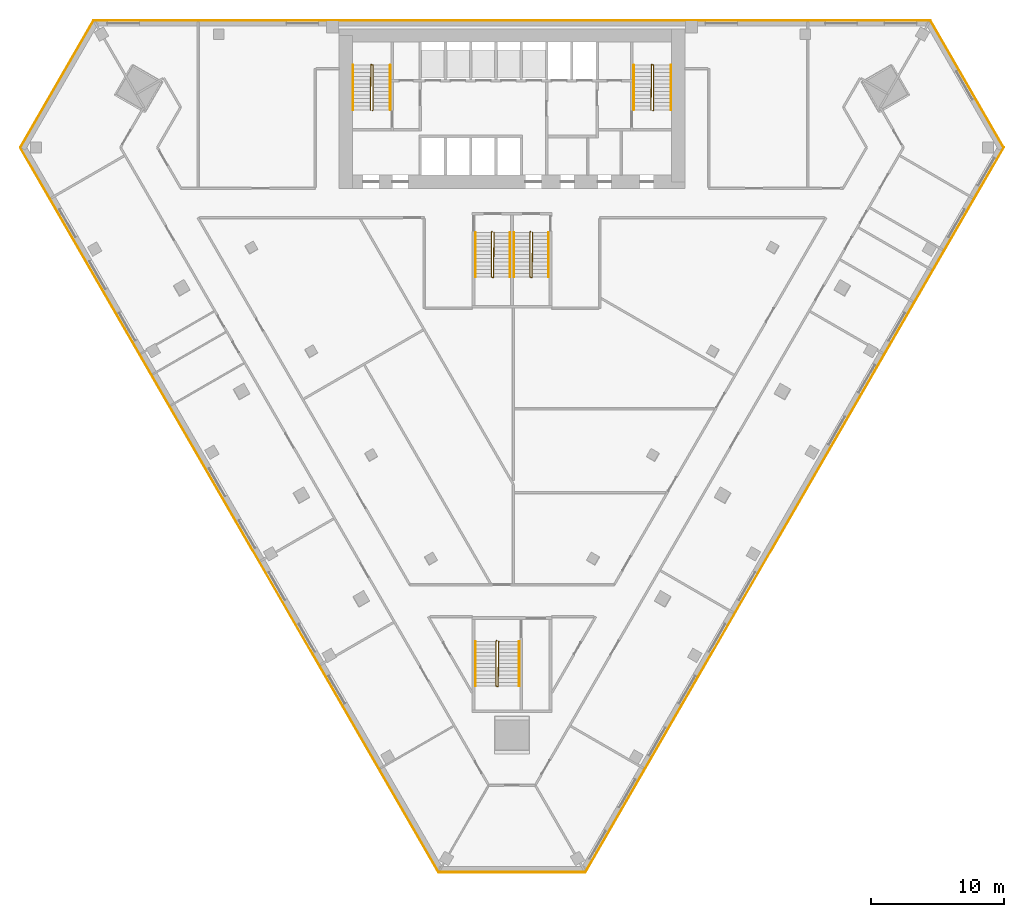
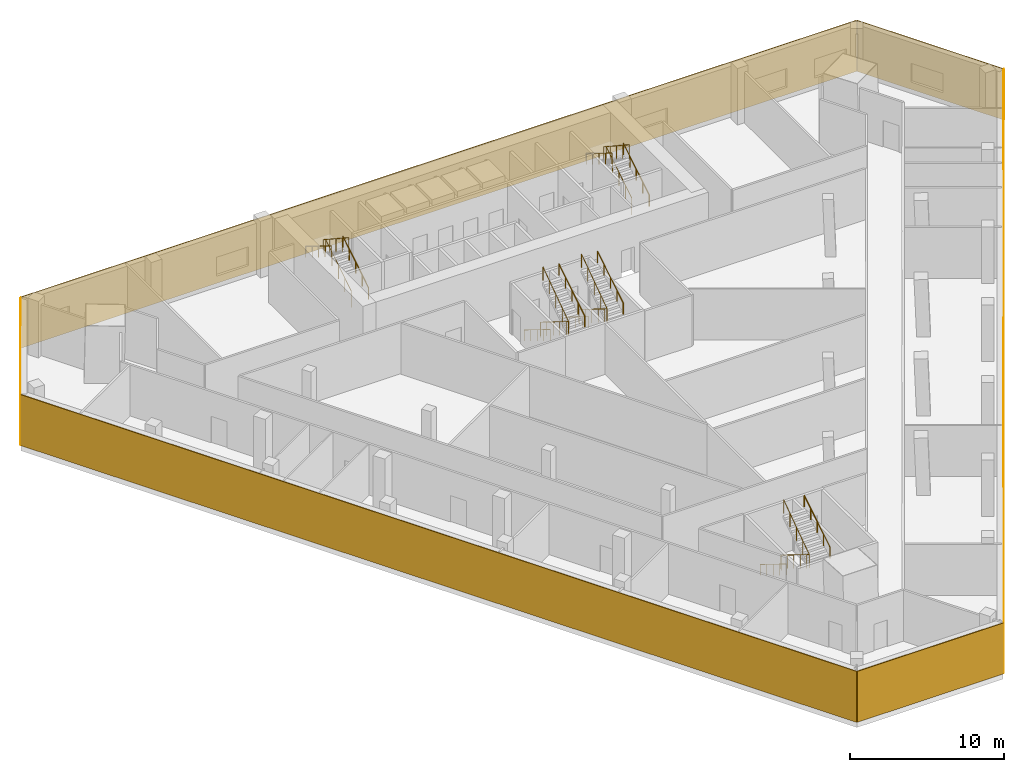
# One storey, part 8 of 9: 15 railings, 6 coverings.
"""IFC4 building model written with IfcOpenShell, lengths in metres."""

import ifcopenshell
import ifcopenshell.guid

model = None  # the IFC model being written
_history = None  # IfcOwnerHistory: only IFC2X3 demands one
_inside = {}  # id of a spatial element -> (the spatial element, [elements in it])
_under = {}  # id of a project, library or spatial element -> (it, [spatial elements below it])
_declared = {}  # id of a project -> (the project, [libraries it declares])
_typed = {}  # id of a type object -> (the type object, [elements of that type])
_made_of = {}  # id of a material, layer set ... -> (it, [elements and type objects made of it])


def new_model(schema):
    """Start an empty IFC model of exactly this schema.

    Asked for "IFC4X3", IfcOpenShell would pick the latest addendum, in which some entities
    have other attributes; the version numbers below select the first issue.
    IFC2X3 requires an IfcOwnerHistory on every rooted entity: one is made here for all.
    """
    global model, _history
    if schema == "IFC4X3":
        model = ifcopenshell.file(schema_version=(4, 3, 0, 0))
    else:
        model = ifcopenshell.file(schema=schema)
    _inside.clear()
    _under.clear()
    _declared.clear()
    _typed.clear()
    _made_of.clear()
    _history = None
    if model.schema == "IFC2X3":
        org = make("IfcOrganization", Name="unknown")
        user = make(
            "IfcPersonAndOrganization",
            ThePerson=make("IfcPerson", FamilyName="unknown"),
            TheOrganization=org,
        )
        app = make(
            "IfcApplication",
            ApplicationDeveloper=org,
            Version="unknown",
            ApplicationFullName="unknown",
            ApplicationIdentifier="unknown",
        )
        _history = make(
            "IfcOwnerHistory",
            OwningUser=user,
            OwningApplication=app,
            ChangeAction="ADDED",
            CreationDate=0,
        )
    return model


def make(cls, **values):
    """One entity of the class cls with the attributes given. An attribute that is None is left unset."""
    return model.create_entity(
        cls, **{name: value for name, value in values.items() if value is not None}
    )


def rooted(cls, **values):
    """An entity with a GlobalId (a new one), such as an element, a storey or a relation."""
    return make(cls, GlobalId=ifcopenshell.guid.new(), OwnerHistory=_history, **values)


def si_unit(unit_type, name, prefix=None):
    """IfcSIUnit, for example si_unit("LENGTHUNIT", "METRE", prefix="MILLI")."""
    return make("IfcSIUnit", UnitType=unit_type, Prefix=prefix, Name=name)


def assignment(units):
    """IfcUnitAssignment: the units of a project."""
    return None if units is None else make("IfcUnitAssignment", Units=units)


def point(xyz):
    """IfcCartesianPoint."""
    return None if xyz is None else make("IfcCartesianPoint", Coordinates=xyz)


def direction(xyz):
    """IfcDirection."""
    return None if xyz is None else make("IfcDirection", DirectionRatios=xyz)


def frame(location, z_axis=None, x_axis=None):
    """IfcAxis2Placement3D, a coordinate frame: its origin and axes. An axis left out is left unset."""
    return make(
        "IfcAxis2Placement3D",
        Location=point(location),
        Axis=direction(z_axis),
        RefDirection=direction(x_axis),
    )


def frame_2d(location, x_axis=None):
    """IfcAxis2Placement2D, a coordinate frame in the plane: its origin and x axis."""
    return make(
        "IfcAxis2Placement2D", Location=point(location), RefDirection=direction(x_axis)
    )


def origin():
    """The frame at (0, 0, 0) with its axes left unset."""
    return frame((0.0, 0.0, 0.0))


def origin_2d():
    """The frame at (0, 0) in the plane with its x axis left unset."""
    return frame_2d((0.0, 0.0))


def place(relative_to, where):
    """IfcLocalPlacement: puts the frame where relative to a parent placement (None: the world)."""
    return make(
        "IfcLocalPlacement", PlacementRelTo=relative_to, RelativePlacement=where
    )


def context(
    kind, dimensions, precision=None, world=None, true_north=None, identifier=None
):
    """IfcGeometricRepresentationContext, for example the 3D "Model" context."""
    return make(
        "IfcGeometricRepresentationContext",
        ContextIdentifier=identifier,
        ContextType=kind,
        CoordinateSpaceDimension=dimensions,
        Precision=precision,
        WorldCoordinateSystem=world,
        TrueNorth=true_north,
    )


def subcontext(parent, identifier, kind, view, scale=None):
    """IfcGeometricRepresentationSubContext, for example "Body" below "Model"."""
    return make(
        "IfcGeometricRepresentationSubContext",
        ContextIdentifier=identifier,
        ContextType=kind,
        ParentContext=parent,
        TargetScale=scale,
        TargetView=view,
    )


def project(units=None, contexts=None):
    """IfcProject with its units and contexts."""
    return rooted(
        "IfcProject",
        Name="project",
        RepresentationContexts=contexts,
        UnitsInContext=assignment(units),
    )


def spatial(cls, under=None, at=None, **own):
    """A site, building, storey or space (cls), placed at a placement, below another one or the project."""
    s = rooted(cls, ObjectPlacement=at, **own)
    if under is not None:
        _under.setdefault(under.id(), (under, []))[1].append(s)
    return s


def profile(cls, at=None, kind="AREA", **sizes):
    """A parametric profile (cls). Its sizes go by their IFC names, for example OverallWidth=200.0."""
    return make(cls, ProfileType=kind, Position=at, **sizes)


def rectangle(**sizes):
    """IfcRectangleProfileDef."""
    return profile("IfcRectangleProfileDef", **sizes)


def circle(**sizes):
    """IfcCircleProfileDef."""
    return profile("IfcCircleProfileDef", **sizes)


def extrude(swept, where, along, depth):
    """IfcExtrudedAreaSolid: the profile swept, set in the frame where, extruded along a direction by depth."""
    return make(
        "IfcExtrudedAreaSolid",
        SweptArea=swept,
        Position=where,
        ExtrudedDirection=direction(along),
        Depth=depth,
    )


def shape(context_of_items, identifier, shape_type, items):
    """IfcShapeRepresentation: the items that make up one representation, for example the "Body"."""
    return make(
        "IfcShapeRepresentation",
        ContextOfItems=context_of_items,
        RepresentationIdentifier=identifier,
        RepresentationType=shape_type,
        Items=items,
    )


def material(Name=None, Category=None):
    """IfcMaterial."""
    return make("IfcMaterial", Name=Name, Category=Category)


def layer(
    of_material, thickness, ventilated=None, Name=None, Category=None, Priority=None
):
    """IfcMaterialLayer: one layer of a wall or slab, of a material (None: an air gap)."""
    return make(
        "IfcMaterialLayer",
        Material=of_material,
        LayerThickness=thickness,
        IsVentilated=ventilated,
        Name=Name,
        Category=Category,
        Priority=Priority,
    )


def layer_set(layers, Name=None):
    """IfcMaterialLayerSet."""
    return make("IfcMaterialLayerSet", MaterialLayers=layers, LayerSetName=Name)


def made_of(thing, what):
    """Note that an element or type object is made of a material, layer set ...; save() writes the relation."""
    if what is not None:
        _made_of.setdefault(what.id(), (what, []))[1].append(thing)
    return thing


def type_object(cls, material=None, **own):
    """A type object (cls), such as IfcWallType, which elements share."""
    return made_of(rooted(cls, **own), material)


def element(
    cls,
    number,
    at=None,
    inside=None,
    cuts=None,
    type_object=None,
    material=None,
    context=None,
    identifier="Body",
    shape_type=None,
    held_by="IfcProductDefinitionShape",
    body=None,
    shapes=None,
    **own,
):
    """One element of the class cls, such as IfcWall. Its Tag is "e" and its number.

    at: its placement. inside: the storey or other place that contains it. cuts: it is an
    opening in that element (IfcRelVoidsElement). A single representation is given by context,
    identifier, shape_type and body (its items); several are given by shapes. held_by: the class
    of the entity that holds the representations. save() writes the other relations.
    """
    e = rooted(cls, Tag="e%d" % number, ObjectPlacement=at, **own)
    if body is not None:
        shapes = [shape(context, identifier, shape_type, body)]
    if shapes is not None:
        e.Representation = make(held_by, Representations=shapes)
    if inside is not None:
        _inside.setdefault(inside.id(), (inside, []))[1].append(e)
    if cuts is not None:
        rooted(
            "IfcRelVoidsElement", RelatingBuildingElement=cuts, RelatedOpeningElement=e
        )
    if type_object is not None:
        _typed.setdefault(type_object.id(), (type_object, []))[1].append(e)
    return made_of(e, material)


def aggregate(whole, parts):
    """IfcRelAggregates: a whole, such as a stair, and the parts it consists of."""
    return rooted("IfcRelAggregates", RelatingObject=whole, RelatedObjects=parts)


def save(model, path):
    """Write the relations noted so far, then the file.

    IfcRelAggregates (storeys below a building ...), IfcRelContainedInSpatialStructure (elements
    in a storey), IfcRelDefinesByType, IfcRelAssociatesMaterial and IfcRelDeclares: one each for
    every whole, place, type object, material and project.
    """
    for whole, parts in _under.values():
        aggregate(whole, parts)
    for where, things in _inside.values():
        rooted(
            "IfcRelContainedInSpatialStructure",
            RelatedElements=things,
            RelatingStructure=where,
        )
    for kind, things in _typed.values():
        rooted("IfcRelDefinesByType", RelatedObjects=things, RelatingType=kind)
    for what, things in _made_of.values():
        rooted("IfcRelAssociatesMaterial", RelatedObjects=things, RelatingMaterial=what)
    for by, libraries in _declared.values():
        rooted("IfcRelDeclares", RelatingContext=by, RelatedDefinitions=libraries)
    model.write(path)


model = new_model("IFC4")

# Units and contexts
model_context = context("Model", 3, precision=1e-05, world=origin(), true_north=direction((0.0, 1.0)))
body_context = subcontext(model_context, "Body", "Model", "MODEL_VIEW")
ifc_project = project(units=[si_unit("LENGTHUNIT", "METRE"), si_unit("AREAUNIT", "SQUARE_METRE"), si_unit("VOLUMEUNIT", "CUBIC_METRE"), si_unit("PLANEANGLEUNIT", "RADIAN"), si_unit("MASSUNIT", "GRAM", prefix="KILO")], contexts=[model_context])

# Site, building, storey
site_placement = place(None, origin())
site = spatial("IfcSite", under=ifc_project, at=site_placement, CompositionType="ELEMENT")
building_placement = place(site_placement, origin())
building = spatial("IfcBuilding", under=site, at=building_placement, Name="Altiplano Prism Tower", CompositionType="ELEMENT")
storey_placement = place(building_placement, frame((0.0, 0.0, 13.5)))
storey = spatial("IfcBuildingStorey", under=building, at=storey_placement, Name="L02", CompositionType="ELEMENT", Elevation=13.5)

# Railings
ifc_material_1 = material(Name="Steel S355", Category="steel")
railing_type_1 = type_object("IfcRailingType", Name="Stair guard 1100", PredefinedType="GUARDRAIL", material=ifc_material_1)
railing_1_placement = place(storey_placement, frame((74.5, 98.25, 0.0)))
element("IfcRailing", 1, at=railing_1_placement, inside=storey, type_object=railing_type_1, Name="L02 ST1 stair guard 1", PredefinedType="GUARDRAIL", context=body_context, shape_type="SweptSolid", body=[
    extrude(circle(Radius=0.02392578125, at=origin_2d()), frame((0.0, 0.0, 1.076171875), z_axis=(0.267629722418, 0.267629722418, 0.925607186314), x_axis=(-0.707106781187, 0.707106781187, 0.0)), (0.0, 0.0, 1.0), 0.18701171875),
    extrude(circle(Radius=0.02392578125, at=origin_2d()), frame((0.050048828125, 0.050048828125, 1.2490234375), z_axis=(0.0, 0.850606129759, 0.525803396734), x_axis=(-1.0, 0.0, 0.0)), (0.0, 0.0, 1.0), 3.949951171875),
    extrude(circle(Radius=0.02392578125, at=origin_2d()), frame((0.050048828125, 3.409912109375, 3.326171875), z_axis=(-0.948683298051, 0.316227766017, 0.0), x_axis=(-0.316227766017, -0.948683298051, 0.0)), (0.0, 0.0, 1.0), 0.158203125),
    extrude(circle(Radius=0.02392578125, at=origin_2d()), frame((-0.10009765625, 3.4599609375, 3.326171875), z_axis=(-0.0121901703, -0.834608375372, 0.55070887001), x_axis=(0.999893351539, -0.01460429897, 0.0)), (0.0, 0.0, 1.0), 4.085693359375),
    extrude(circle(Radius=0.02099609375, at=origin_2d()), origin(), (0.0, 0.0, 1.0), 1.052001953125),
    extrude(circle(Radius=0.02099609375, at=origin_2d()), frame((0.050048828125, 0.050048828125, 0.173095703125)), (0.0, 0.0, 1.0), 1.052001953125),
    extrude(circle(Radius=0.02099609375, at=origin_2d()), frame((0.050048828125, 0.89013671875, 0.6923828125)), (0.0, 0.0, 1.0), 1.052001953125),
    extrude(circle(Radius=0.02099609375, at=origin_2d()), frame((0.050048828125, 1.72998046875, 1.21142578125)), (0.0, 0.0, 1.0), 1.052001953125),
    extrude(circle(Radius=0.02099609375, at=origin_2d()), frame((0.050048828125, 2.56982421875, 1.730712890625)), (0.0, 0.0, 1.0), 1.052001953125),
    extrude(circle(Radius=0.02099609375, at=origin_2d()), frame((0.050048828125, 3.409912109375, 2.25)), (0.0, 0.0, 1.0), 1.052001953125),
    extrude(circle(Radius=0.02099609375, at=origin_2d()), frame((-0.10009765625, 3.4599609375, 2.25)), (0.0, 0.0, 1.0), 1.052001953125),
    extrude(circle(Radius=0.02099609375, at=origin_2d()), frame((-0.112548828125, 2.607421875, 2.8125)), (0.0, 0.0, 1.0), 1.052001953125),
    extrude(circle(Radius=0.02099609375, at=origin_2d()), frame((-0.125, 1.7548828125, 3.375)), (0.0, 0.0, 1.0), 1.052001953125),
    extrude(circle(Radius=0.02099609375, at=origin_2d()), frame((-0.137451171875, 0.902587890625, 3.9375)), (0.0, 0.0, 1.0), 1.052001953125),
    extrude(circle(Radius=0.02099609375, at=origin_2d()), frame((-0.14990234375, 0.050048828125, 4.5)), (0.0, 0.0, 1.0), 1.052001953125),
])
railing_2_placement = place(storey_placement, frame((95.60009765625, 98.25, 0.0)))
element("IfcRailing", 2, at=railing_2_placement, inside=storey, type_object=railing_type_1, Name="L02 ST2 stair guard 1", PredefinedType="GUARDRAIL", context=body_context, shape_type="SweptSolid", body=[
    extrude(circle(Radius=0.02392578125, at=origin_2d()), frame((0.0, 0.0, 1.076171875), z_axis=(0.266417085129, 0.267723051232, 0.925929967433), x_axis=(-0.708833529934, 0.705375805398, 0.0)), (0.0, 0.0, 1.0), 0.18701171875),
    extrude(circle(Radius=0.02392578125, at=origin_2d()), frame((0.0498046875, 0.050048828125, 1.2490234375), z_axis=(0.0, 0.850606129759, 0.525803396734), x_axis=(-1.0, 0.0, 0.0)), (0.0, 0.0, 1.0), 3.949951171875),
    extrude(circle(Radius=0.02392578125, at=origin_2d()), frame((0.0498046875, 3.409912109375, 3.326171875), z_axis=(-0.948528701346, 0.316691178788, 0.0), x_axis=(-0.316691178788, -0.948528701346, 0.0)), (0.0, 0.0, 1.0), 0.157958984375),
    extrude(circle(Radius=0.02392578125, at=origin_2d()), frame((-0.10009765625, 3.4599609375, 3.326171875), z_axis=(-0.012249917091, -0.834607765926, 0.550708467873), x_axis=(0.999892303572, -0.014675873289, 0.0)), (0.0, 0.0, 1.0), 4.085693359375),
    extrude(circle(Radius=0.02099609375, at=origin_2d()), origin(), (0.0, 0.0, 1.0), 1.052001953125),
    extrude(circle(Radius=0.02099609375, at=origin_2d()), frame((0.0498046875, 0.050048828125, 0.173095703125)), (0.0, 0.0, 1.0), 1.052001953125),
    extrude(circle(Radius=0.02099609375, at=origin_2d()), frame((0.0498046875, 0.89013671875, 0.6923828125)), (0.0, 0.0, 1.0), 1.052001953125),
    extrude(circle(Radius=0.02099609375, at=origin_2d()), frame((0.0498046875, 1.72998046875, 1.21142578125)), (0.0, 0.0, 1.0), 1.052001953125),
    extrude(circle(Radius=0.02099609375, at=origin_2d()), frame((0.0498046875, 2.56982421875, 1.730712890625)), (0.0, 0.0, 1.0), 1.052001953125),
    extrude(circle(Radius=0.02099609375, at=origin_2d()), frame((0.0498046875, 3.409912109375, 2.25)), (0.0, 0.0, 1.0), 1.052001953125),
    extrude(circle(Radius=0.02099609375, at=origin_2d()), frame((-0.10009765625, 3.4599609375, 2.25)), (0.0, 0.0, 1.0), 1.052001953125),
    extrude(circle(Radius=0.02099609375, at=origin_2d()), frame((-0.112548828125, 2.607421875, 2.8125)), (0.0, 0.0, 1.0), 1.052001953125),
    extrude(circle(Radius=0.02099609375, at=origin_2d()), frame((-0.125, 1.7548828125, 3.375)), (0.0, 0.0, 1.0), 1.052001953125),
    extrude(circle(Radius=0.02099609375, at=origin_2d()), frame((-0.1376953125, 0.902587890625, 3.9375)), (0.0, 0.0, 1.0), 1.052001953125),
    extrude(circle(Radius=0.02099609375, at=origin_2d()), frame((-0.150146484375, 0.050048828125, 4.5)), (0.0, 0.0, 1.0), 1.052001953125),
])
railing_3_placement = place(storey_placement, frame((83.5, 89.14990234375, 0.0)))
element("IfcRailing", 3, at=railing_3_placement, inside=storey, type_object=railing_type_1, Name="L02 ST3A stair guard 1", PredefinedType="GUARDRAIL", context=body_context, shape_type="SweptSolid", body=[
    extrude(circle(Radius=0.02392578125, at=origin_2d()), frame((0.0, 0.0, 1.076171875), z_axis=(-0.267723051232, -0.266417085129, 0.925929967433), x_axis=(0.705375805398, -0.708833529934, 0.0)), (0.0, 0.0, 1.0), 0.18701171875),
    extrude(circle(Radius=0.02392578125, at=origin_2d()), frame((-0.050048828125, -0.0498046875, 1.2490234375), z_axis=(0.0, -0.850623216509, 0.525775754039), x_axis=(1.0, 0.0, 0.0)), (0.0, 0.0, 1.0), 3.9501953125),
    extrude(circle(Radius=0.02392578125, at=origin_2d()), frame((-0.050048828125, -3.409912109375, 3.326171875), z_axis=(0.948683298051, -0.316227766017, 0.0), x_axis=(0.316227766017, 0.948683298051, 0.0)), (0.0, 0.0, 1.0), 0.158203125),
    extrude(circle(Radius=0.02392578125, at=origin_2d()), frame((0.10009765625, -3.4599609375, 3.326171875), z_axis=(0.012189562367, 0.83462650563, 0.550681405777), x_axis=(-0.999893366806, 0.014603253639, 0.0)), (0.0, 0.0, 1.0), 4.0859375),
    extrude(circle(Radius=0.02099609375, at=origin_2d()), origin(), (0.0, 0.0, 1.0), 1.052001953125),
    extrude(circle(Radius=0.02099609375, at=origin_2d()), frame((-0.050048828125, -0.0498046875, 0.173095703125)), (0.0, 0.0, 1.0), 1.052001953125),
    extrude(circle(Radius=0.02099609375, at=origin_2d()), frame((-0.050048828125, -0.889892578125, 0.6923828125)), (0.0, 0.0, 1.0), 1.052001953125),
    extrude(circle(Radius=0.02099609375, at=origin_2d()), frame((-0.050048828125, -1.72998046875, 1.21142578125)), (0.0, 0.0, 1.0), 1.052001953125),
    extrude(circle(Radius=0.02099609375, at=origin_2d()), frame((-0.050048828125, -2.56982421875, 1.730712890625)), (0.0, 0.0, 1.0), 1.052001953125),
    extrude(circle(Radius=0.02099609375, at=origin_2d()), frame((-0.050048828125, -3.409912109375, 2.25)), (0.0, 0.0, 1.0), 1.052001953125),
    extrude(circle(Radius=0.02099609375, at=origin_2d()), frame((0.10009765625, -3.4599609375, 2.25)), (0.0, 0.0, 1.0), 1.052001953125),
    extrude(circle(Radius=0.02099609375, at=origin_2d()), frame((0.112548828125, -2.607421875, 2.8125)), (0.0, 0.0, 1.0), 1.052001953125),
    extrude(circle(Radius=0.02099609375, at=origin_2d()), frame((0.125, -1.7548828125, 3.375)), (0.0, 0.0, 1.0), 1.052001953125),
    extrude(circle(Radius=0.02099609375, at=origin_2d()), frame((0.137451171875, -0.90234375, 3.9375)), (0.0, 0.0, 1.0), 1.052001953125),
    extrude(circle(Radius=0.02099609375, at=origin_2d()), frame((0.14990234375, -0.0498046875, 4.5)), (0.0, 0.0, 1.0), 1.052001953125),
])
railing_4_placement = place(storey_placement, frame((86.39990234375, 89.14990234375, 0.0)))
element("IfcRailing", 4, at=railing_4_placement, inside=storey, type_object=railing_type_1, Name="L02 ST3B stair guard 1", PredefinedType="GUARDRAIL", context=body_context, shape_type="SweptSolid", body=[
    extrude(circle(Radius=0.02392578125, at=origin_2d()), frame((0.0, 0.0, 1.076171875), z_axis=(-0.26651005591, -0.26651005591, 0.926253086471), x_axis=(0.707106781187, -0.707106781187, 0.0)), (0.0, 0.0, 1.0), 0.186767578125),
    extrude(circle(Radius=0.02392578125, at=origin_2d()), frame((-0.0498046875, -0.0498046875, 1.2490234375), z_axis=(0.0, -0.850623216509, 0.525775754039), x_axis=(1.0, 0.0, 0.0)), (0.0, 0.0, 1.0), 3.9501953125),
    extrude(circle(Radius=0.02392578125, at=origin_2d()), frame((-0.0498046875, -3.409912109375, 3.326171875), z_axis=(0.948528701346, -0.316691178788, 0.0), x_axis=(0.316691178788, 0.948528701346, 0.0)), (0.0, 0.0, 1.0), 0.157958984375),
    extrude(circle(Radius=0.02392578125, at=origin_2d()), frame((0.10009765625, -3.4599609375, 3.326171875), z_axis=(0.01224930618, 0.834625896233, 0.5506810037), x_axis=(-0.99989231899, 0.014674822837, 0.0)), (0.0, 0.0, 1.0), 4.0859375),
    extrude(circle(Radius=0.02099609375, at=origin_2d()), origin(), (0.0, 0.0, 1.0), 1.052001953125),
    extrude(circle(Radius=0.02099609375, at=origin_2d()), frame((-0.0498046875, -0.0498046875, 0.173095703125)), (0.0, 0.0, 1.0), 1.052001953125),
    extrude(circle(Radius=0.02099609375, at=origin_2d()), frame((-0.0498046875, -0.889892578125, 0.6923828125)), (0.0, 0.0, 1.0), 1.052001953125),
    extrude(circle(Radius=0.02099609375, at=origin_2d()), frame((-0.0498046875, -1.72998046875, 1.21142578125)), (0.0, 0.0, 1.0), 1.052001953125),
    extrude(circle(Radius=0.02099609375, at=origin_2d()), frame((-0.0498046875, -2.56982421875, 1.730712890625)), (0.0, 0.0, 1.0), 1.052001953125),
    extrude(circle(Radius=0.02099609375, at=origin_2d()), frame((-0.0498046875, -3.409912109375, 2.25)), (0.0, 0.0, 1.0), 1.052001953125),
    extrude(circle(Radius=0.02099609375, at=origin_2d()), frame((0.10009765625, -3.4599609375, 2.25)), (0.0, 0.0, 1.0), 1.052001953125),
    extrude(circle(Radius=0.02099609375, at=origin_2d()), frame((0.112548828125, -2.607421875, 2.8125)), (0.0, 0.0, 1.0), 1.052001953125),
    extrude(circle(Radius=0.02099609375, at=origin_2d()), frame((0.125, -1.7548828125, 3.375)), (0.0, 0.0, 1.0), 1.052001953125),
    extrude(circle(Radius=0.02099609375, at=origin_2d()), frame((0.1376953125, -0.90234375, 3.9375)), (0.0, 0.0, 1.0), 1.052001953125),
    extrude(circle(Radius=0.02099609375, at=origin_2d()), frame((0.150146484375, -0.0498046875, 4.5)), (0.0, 0.0, 1.0), 1.052001953125),
])
railing_5_placement = place(storey_placement, frame((83.85009765625, 58.39990234375, 0.0)))
element("IfcRailing", 5, at=railing_5_placement, inside=storey, type_object=railing_type_1, Name="L02 ST4 stair guard 1", PredefinedType="GUARDRAIL", context=body_context, shape_type="SweptSolid", body=[
    extrude(circle(Radius=0.02392578125, at=origin_2d()), frame((0.0, 0.0, 1.076171875), z_axis=(-0.267723051232, -0.266417085129, 0.925929967433), x_axis=(0.705375805398, -0.708833529934, 0.0)), (0.0, 0.0, 1.0), 0.18701171875),
    extrude(circle(Radius=0.02392578125, at=origin_2d()), frame((-0.050048828125, -0.0498046875, 1.2490234375), z_axis=(0.0, -0.850623216509, 0.525775754039), x_axis=(1.0, 0.0, 0.0)), (0.0, 0.0, 1.0), 3.9501953125),
    extrude(circle(Radius=0.02392578125, at=origin_2d()), frame((-0.050048828125, -3.409912109375, 3.326171875), z_axis=(0.948528701346, -0.316691178788, 0.0), x_axis=(0.316691178788, 0.948528701346, 0.0)), (0.0, 0.0, 1.0), 0.157958984375),
    extrude(circle(Radius=0.02392578125, at=origin_2d()), frame((0.099853515625, -3.4599609375, 3.326171875), z_axis=(0.01224930618, 0.834625896233, 0.5506810037), x_axis=(-0.99989231899, 0.014674822837, 0.0)), (0.0, 0.0, 1.0), 4.0859375),
    extrude(circle(Radius=0.02099609375, at=origin_2d()), origin(), (0.0, 0.0, 1.0), 1.052001953125),
    extrude(circle(Radius=0.02099609375, at=origin_2d()), frame((-0.050048828125, -0.0498046875, 0.173095703125)), (0.0, 0.0, 1.0), 1.052001953125),
    extrude(circle(Radius=0.02099609375, at=origin_2d()), frame((-0.050048828125, -0.889892578125, 0.6923828125)), (0.0, 0.0, 1.0), 1.052001953125),
    extrude(circle(Radius=0.02099609375, at=origin_2d()), frame((-0.050048828125, -1.72998046875, 1.21142578125)), (0.0, 0.0, 1.0), 1.052001953125),
    extrude(circle(Radius=0.02099609375, at=origin_2d()), frame((-0.050048828125, -2.56982421875, 1.730712890625)), (0.0, 0.0, 1.0), 1.052001953125),
    extrude(circle(Radius=0.02099609375, at=origin_2d()), frame((-0.050048828125, -3.409912109375, 2.25)), (0.0, 0.0, 1.0), 1.052001953125),
    extrude(circle(Radius=0.02099609375, at=origin_2d()), frame((0.099853515625, -3.4599609375, 2.25)), (0.0, 0.0, 1.0), 1.052001953125),
    extrude(circle(Radius=0.02099609375, at=origin_2d()), frame((0.1123046875, -2.607421875, 2.8125)), (0.0, 0.0, 1.0), 1.052001953125),
    extrude(circle(Radius=0.02099609375, at=origin_2d()), frame((0.125, -1.7548828125, 3.375)), (0.0, 0.0, 1.0), 1.052001953125),
    extrude(circle(Radius=0.02099609375, at=origin_2d()), frame((0.137451171875, -0.90234375, 3.9375)), (0.0, 0.0, 1.0), 1.052001953125),
    extrude(circle(Radius=0.02099609375, at=origin_2d()), frame((0.14990234375, -0.0498046875, 4.5)), (0.0, 0.0, 1.0), 1.052001953125),
])
railing_type_2 = type_object("IfcRailingType", Name="Stair handrail 900", PredefinedType="HANDRAIL", material=ifc_material_1)
railing_6_placement = place(storey_placement, frame((75.85009765625, 98.300048828125, 0.173095703125)))
element("IfcRailing", 6, at=railing_6_placement, inside=storey, type_object=railing_type_2, Name="L02 ST1 stair handrail 1", PredefinedType="HANDRAIL", context=body_context, shape_type="SweptSolid", body=[
    extrude(circle(Radius=0.02392578125, at=origin_2d()), frame((0.0, 0.0, 0.8759765625), z_axis=(0.0, 0.850606129759, 0.525803396734), x_axis=(-1.0, 0.0, 0.0)), (0.0, 0.0, 1.0), 3.949951171875),
    extrude(circle(Radius=0.02099609375, at=origin_2d()), origin(), (0.0, 0.0, 1.0), 0.851806640625),
    extrude(circle(Radius=0.02099609375, at=origin_2d()), frame((0.0, 0.83984375, 0.519287109375)), (0.0, 0.0, 1.0), 0.851806640625),
    extrude(circle(Radius=0.02099609375, at=origin_2d()), frame((0.0, 1.679931640625, 1.03857421875)), (0.0, 0.0, 1.0), 0.851806640625),
    extrude(circle(Radius=0.02099609375, at=origin_2d()), frame((0.0, 2.52001953125, 1.5576171875)), (0.0, 0.0, 1.0), 0.851806640625),
    extrude(circle(Radius=0.02099609375, at=origin_2d()), frame((0.0, 3.35986328125, 2.076904296875)), (0.0, 0.0, 1.0), 0.851806640625),
])
railing_7_placement = place(storey_placement, frame((73.050048828125, 101.659912109375, 2.423095703125)))
element("IfcRailing", 7, at=railing_7_placement, inside=storey, type_object=railing_type_2, Name="L02 ST1 stair handrail 2", PredefinedType="HANDRAIL", context=body_context, shape_type="SweptSolid", body=[
    extrude(circle(Radius=0.02392578125, at=origin_2d()), frame((0.0, 0.0, 0.8759765625), z_axis=(0.0, -0.850606129759, 0.525803396734), x_axis=(1.0, 0.0, 0.0)), (0.0, 0.0, 1.0), 3.949951171875),
    extrude(circle(Radius=0.02099609375, at=origin_2d()), origin(), (0.0, 0.0, 1.0), 0.851806640625),
    extrude(circle(Radius=0.02099609375, at=origin_2d()), frame((0.0, -0.83984375, 0.519287109375)), (0.0, 0.0, 1.0), 0.851806640625),
    extrude(circle(Radius=0.02099609375, at=origin_2d()), frame((0.0, -1.679931640625, 1.03857421875)), (0.0, 0.0, 1.0), 0.851806640625),
    extrude(circle(Radius=0.02099609375, at=origin_2d()), frame((0.0, -2.52001953125, 1.5576171875)), (0.0, 0.0, 1.0), 0.851806640625),
    extrude(circle(Radius=0.02099609375, at=origin_2d()), frame((0.0, -3.35986328125, 2.076904296875)), (0.0, 0.0, 1.0), 0.851806640625),
])
railing_8_placement = place(storey_placement, frame((96.949951171875, 98.300048828125, 0.173095703125)))
element("IfcRailing", 8, at=railing_8_placement, inside=storey, type_object=railing_type_2, Name="L02 ST2 stair handrail 1", PredefinedType="HANDRAIL", context=body_context, shape_type="SweptSolid", body=[
    extrude(circle(Radius=0.02392578125, at=origin_2d()), frame((0.0, 0.0, 0.8759765625), z_axis=(0.0, 0.850606129759, 0.525803396734), x_axis=(-1.0, 0.0, 0.0)), (0.0, 0.0, 1.0), 3.949951171875),
    extrude(circle(Radius=0.02099609375, at=origin_2d()), origin(), (0.0, 0.0, 1.0), 0.851806640625),
    extrude(circle(Radius=0.02099609375, at=origin_2d()), frame((0.0, 0.83984375, 0.519287109375)), (0.0, 0.0, 1.0), 0.851806640625),
    extrude(circle(Radius=0.02099609375, at=origin_2d()), frame((0.0, 1.679931640625, 1.03857421875)), (0.0, 0.0, 1.0), 0.851806640625),
    extrude(circle(Radius=0.02099609375, at=origin_2d()), frame((0.0, 2.52001953125, 1.5576171875)), (0.0, 0.0, 1.0), 0.851806640625),
    extrude(circle(Radius=0.02099609375, at=origin_2d()), frame((0.0, 3.35986328125, 2.076904296875)), (0.0, 0.0, 1.0), 0.851806640625),
])
railing_9_placement = place(storey_placement, frame((94.14990234375, 101.659912109375, 2.423095703125)))
element("IfcRailing", 9, at=railing_9_placement, inside=storey, type_object=railing_type_2, Name="L02 ST2 stair handrail 2", PredefinedType="HANDRAIL", context=body_context, shape_type="SweptSolid", body=[
    extrude(circle(Radius=0.02392578125, at=origin_2d()), frame((0.0, 0.0, 0.8759765625), z_axis=(0.0, -0.850606129759, 0.525803396734), x_axis=(1.0, 0.0, 0.0)), (0.0, 0.0, 1.0), 3.949951171875),
    extrude(circle(Radius=0.02099609375, at=origin_2d()), origin(), (0.0, 0.0, 1.0), 0.851806640625),
    extrude(circle(Radius=0.02099609375, at=origin_2d()), frame((0.0, -0.83984375, 0.519287109375)), (0.0, 0.0, 1.0), 0.851806640625),
    extrude(circle(Radius=0.02099609375, at=origin_2d()), frame((0.0, -1.679931640625, 1.03857421875)), (0.0, 0.0, 1.0), 0.851806640625),
    extrude(circle(Radius=0.02099609375, at=origin_2d()), frame((0.0, -2.52001953125, 1.5576171875)), (0.0, 0.0, 1.0), 0.851806640625),
    extrude(circle(Radius=0.02099609375, at=origin_2d()), frame((0.0, -3.35986328125, 2.076904296875)), (0.0, 0.0, 1.0), 0.851806640625),
])
railing_10_placement = place(storey_placement, frame((82.25, 89.10009765625, 0.173095703125)))
element("IfcRailing", 10, at=railing_10_placement, inside=storey, type_object=railing_type_2, Name="L02 ST3A stair handrail 1", PredefinedType="HANDRAIL", context=body_context, shape_type="SweptSolid", body=[
    extrude(circle(Radius=0.02392578125, at=origin_2d()), frame((0.0, 0.0, 0.8759765625), z_axis=(0.0, -0.850623216509, 0.525775754039), x_axis=(1.0, 0.0, 0.0)), (0.0, 0.0, 1.0), 3.9501953125),
    extrude(circle(Radius=0.02099609375, at=origin_2d()), origin(), (0.0, 0.0, 1.0), 0.851806640625),
    extrude(circle(Radius=0.02099609375, at=origin_2d()), frame((0.0, -0.840087890625, 0.519287109375)), (0.0, 0.0, 1.0), 0.851806640625),
    extrude(circle(Radius=0.02099609375, at=origin_2d()), frame((0.0, -1.68017578125, 1.03857421875)), (0.0, 0.0, 1.0), 0.851806640625),
    extrude(circle(Radius=0.02099609375, at=origin_2d()), frame((0.0, -2.52001953125, 1.5576171875)), (0.0, 0.0, 1.0), 0.851806640625),
    extrude(circle(Radius=0.02099609375, at=origin_2d()), frame((0.0, -3.360107421875, 2.076904296875)), (0.0, 0.0, 1.0), 0.851806640625),
])
railing_11_placement = place(storey_placement, frame((84.85009765625, 85.739990234375, 2.423095703125)))
element("IfcRailing", 11, at=railing_11_placement, inside=storey, type_object=railing_type_2, Name="L02 ST3A stair handrail 2", PredefinedType="HANDRAIL", context=body_context, shape_type="SweptSolid", body=[
    extrude(circle(Radius=0.02392578125, at=origin_2d()), frame((0.0, 0.0, 0.8759765625), z_axis=(0.0, 0.850623216509, 0.525775754039), x_axis=(-1.0, 0.0, 0.0)), (0.0, 0.0, 1.0), 3.9501953125),
    extrude(circle(Radius=0.02099609375, at=origin_2d()), origin(), (0.0, 0.0, 1.0), 0.851806640625),
    extrude(circle(Radius=0.02099609375, at=origin_2d()), frame((0.0, 0.840087890625, 0.519287109375)), (0.0, 0.0, 1.0), 0.851806640625),
    extrude(circle(Radius=0.02099609375, at=origin_2d()), frame((0.0, 1.68017578125, 1.03857421875)), (0.0, 0.0, 1.0), 0.851806640625),
    extrude(circle(Radius=0.02099609375, at=origin_2d()), frame((0.0, 2.52001953125, 1.5576171875)), (0.0, 0.0, 1.0), 0.851806640625),
    extrude(circle(Radius=0.02099609375, at=origin_2d()), frame((0.0, 3.360107421875, 2.076904296875)), (0.0, 0.0, 1.0), 0.851806640625),
])
railing_12_placement = place(storey_placement, frame((85.14990234375, 89.10009765625, 0.173095703125)))
element("IfcRailing", 12, at=railing_12_placement, inside=storey, type_object=railing_type_2, Name="L02 ST3B stair handrail 1", PredefinedType="HANDRAIL", context=body_context, shape_type="SweptSolid", body=[
    extrude(circle(Radius=0.02392578125, at=origin_2d()), frame((0.0, 0.0, 0.8759765625), z_axis=(0.0, -0.850623216509, 0.525775754039), x_axis=(1.0, 0.0, 0.0)), (0.0, 0.0, 1.0), 3.9501953125),
    extrude(circle(Radius=0.02099609375, at=origin_2d()), origin(), (0.0, 0.0, 1.0), 0.851806640625),
    extrude(circle(Radius=0.02099609375, at=origin_2d()), frame((0.0, -0.840087890625, 0.519287109375)), (0.0, 0.0, 1.0), 0.851806640625),
    extrude(circle(Radius=0.02099609375, at=origin_2d()), frame((0.0, -1.68017578125, 1.03857421875)), (0.0, 0.0, 1.0), 0.851806640625),
    extrude(circle(Radius=0.02099609375, at=origin_2d()), frame((0.0, -2.52001953125, 1.5576171875)), (0.0, 0.0, 1.0), 0.851806640625),
    extrude(circle(Radius=0.02099609375, at=origin_2d()), frame((0.0, -3.360107421875, 2.076904296875)), (0.0, 0.0, 1.0), 0.851806640625),
])
railing_13_placement = place(storey_placement, frame((87.75, 85.739990234375, 2.423095703125)))
element("IfcRailing", 13, at=railing_13_placement, inside=storey, type_object=railing_type_2, Name="L02 ST3B stair handrail 2", PredefinedType="HANDRAIL", context=body_context, shape_type="SweptSolid", body=[
    extrude(circle(Radius=0.02392578125, at=origin_2d()), frame((0.0, 0.0, 0.8759765625), z_axis=(0.0, 0.850623216509, 0.525775754039), x_axis=(-1.0, 0.0, 0.0)), (0.0, 0.0, 1.0), 3.9501953125),
    extrude(circle(Radius=0.02099609375, at=origin_2d()), origin(), (0.0, 0.0, 1.0), 0.851806640625),
    extrude(circle(Radius=0.02099609375, at=origin_2d()), frame((0.0, 0.840087890625, 0.519287109375)), (0.0, 0.0, 1.0), 0.851806640625),
    extrude(circle(Radius=0.02099609375, at=origin_2d()), frame((0.0, 1.68017578125, 1.03857421875)), (0.0, 0.0, 1.0), 0.851806640625),
    extrude(circle(Radius=0.02099609375, at=origin_2d()), frame((0.0, 2.52001953125, 1.5576171875)), (0.0, 0.0, 1.0), 0.851806640625),
    extrude(circle(Radius=0.02099609375, at=origin_2d()), frame((0.0, 3.360107421875, 2.076904296875)), (0.0, 0.0, 1.0), 0.851806640625),
])
railing_14_placement = place(storey_placement, frame((82.25, 58.35009765625, 0.173095703125)))
element("IfcRailing", 14, at=railing_14_placement, inside=storey, type_object=railing_type_2, Name="L02 ST4 stair handrail 1", PredefinedType="HANDRAIL", context=body_context, shape_type="SweptSolid", body=[
    extrude(circle(Radius=0.02392578125, at=origin_2d()), frame((0.0, 0.0, 0.8759765625), z_axis=(0.0, -0.850623216509, 0.525775754039), x_axis=(1.0, 0.0, 0.0)), (0.0, 0.0, 1.0), 3.9501953125),
    extrude(circle(Radius=0.02099609375, at=origin_2d()), origin(), (0.0, 0.0, 1.0), 0.851806640625),
    extrude(circle(Radius=0.02099609375, at=origin_2d()), frame((0.0, -0.840087890625, 0.519287109375)), (0.0, 0.0, 1.0), 0.851806640625),
    extrude(circle(Radius=0.02099609375, at=origin_2d()), frame((0.0, -1.68017578125, 1.03857421875)), (0.0, 0.0, 1.0), 0.851806640625),
    extrude(circle(Radius=0.02099609375, at=origin_2d()), frame((0.0, -2.52001953125, 1.5576171875)), (0.0, 0.0, 1.0), 0.851806640625),
    extrude(circle(Radius=0.02099609375, at=origin_2d()), frame((0.0, -3.360107421875, 2.076904296875)), (0.0, 0.0, 1.0), 0.851806640625),
])
railing_15_placement = place(storey_placement, frame((85.550048828125, 54.989990234375, 2.423095703125)))
element("IfcRailing", 15, at=railing_15_placement, inside=storey, type_object=railing_type_2, Name="L02 ST4 stair handrail 2", PredefinedType="HANDRAIL", context=body_context, shape_type="SweptSolid", body=[
    extrude(circle(Radius=0.02392578125, at=origin_2d()), frame((0.0, 0.0, 0.8759765625), z_axis=(0.0, 0.850623216509, 0.525775754039), x_axis=(-1.0, 0.0, 0.0)), (0.0, 0.0, 1.0), 3.9501953125),
    extrude(circle(Radius=0.02099609375, at=origin_2d()), origin(), (0.0, 0.0, 1.0), 0.851806640625),
    extrude(circle(Radius=0.02099609375, at=origin_2d()), frame((0.0, 0.840087890625, 0.519287109375)), (0.0, 0.0, 1.0), 0.851806640625),
    extrude(circle(Radius=0.02099609375, at=origin_2d()), frame((0.0, 1.68017578125, 1.03857421875)), (0.0, 0.0, 1.0), 0.851806640625),
    extrude(circle(Radius=0.02099609375, at=origin_2d()), frame((0.0, 2.52001953125, 1.5576171875)), (0.0, 0.0, 1.0), 0.851806640625),
    extrude(circle(Radius=0.02099609375, at=origin_2d()), frame((0.0, 3.360107421875, 2.076904296875)), (0.0, 0.0, 1.0), 0.851806640625),
])

# Coverings
ifc_material_2 = material(Name="Warm limestone cast stone", Category="masonry")
ifc_layer = layer(ifc_material_2, 0.06005859375)
ifc_layer_set = layer_set([ifc_layer], Name="Warm limestone cast stone")
covering_type = type_object("IfcCoveringType", Name="Stone cladding 60", PredefinedType="CLADDING", material=ifc_layer_set)
covering_1_placement = place(storey_placement, frame((53.564697265625, 105.030029296875, 0.0), z_axis=(0.0, 0.0, 1.0), x_axis=(1.0, 0.0, 0.0)))
element("IfcCovering", 16, at=covering_1_placement, inside=storey, type_object=covering_type, Name="Stone cladding north face L02", PredefinedType="CLADDING", context=body_context, shape_type="SweptSolid", body=[
    extrude(rectangle(XDim=62.87060546875, YDim=0.06005859375, at=frame_2d((31.435302734375, 0.0))), origin(), (0.0, 0.0, 1.0), 4.050048828125),
])
covering_2_placement = place(storey_placement, frame((48.038818359375, 95.48876953125, 0.0), z_axis=(0.0, 0.0, 1.0), x_axis=(0.50000615651, 0.866021849293, 0.0)))
element("IfcCovering", 17, at=covering_2_placement, inside=storey, type_object=covering_type, Name="Stone cladding north-west chamfer L02", PredefinedType="CLADDING", context=body_context, shape_type="SweptSolid", body=[
    extrude(rectangle(XDim=10.999755859375, YDim=0.06005859375, at=frame_2d((5.5, 0.0))), origin(), (0.0, 0.0, 1.0), 4.050048828125),
])
covering_3_placement = place(storey_placement, frame((79.47412109375, 41.01123046875, 0.0), z_axis=(0.0, 0.0, 1.0), x_axis=(-0.500000218478, 0.866025277646, 0.0)))
element("IfcCovering", 18, at=covering_3_placement, inside=storey, type_object=covering_type, Name="Stone cladding south-west face L02", PredefinedType="CLADDING", context=body_context, shape_type="SweptSolid", body=[
    extrude(rectangle(XDim=62.87060546875, YDim=0.06005859375, at=frame_2d((31.435302734375, 0.0))), origin(), (0.0, 0.0, 1.0), 4.050048828125),
])
covering_4_placement = place(storey_placement, frame((90.5, 40.996337890625, 0.0), z_axis=(0.0, 0.0, 1.0), x_axis=(-1.0, 0.0, 0.0)))
element("IfcCovering", 19, at=covering_4_placement, inside=storey, type_object=covering_type, Name="Stone cladding south chamfer L02", PredefinedType="CLADDING", context=body_context, shape_type="SweptSolid", body=[
    extrude(rectangle(XDim=11.0, YDim=0.06005859375, at=frame_2d((5.5, 0.0))), origin(), (0.0, 0.0, 1.0), 4.050048828125),
])
covering_5_placement = place(storey_placement, frame((121.961181640625, 95.458740234375, 0.0), z_axis=(0.0, 0.0, 1.0), x_axis=(-0.500000218478, -0.866025277646, 0.0)))
element("IfcCovering", 20, at=covering_5_placement, inside=storey, type_object=covering_type, Name="Stone cladding south-east face L02", PredefinedType="CLADDING", context=body_context, shape_type="SweptSolid", body=[
    extrude(rectangle(XDim=62.87060546875, YDim=0.06005859375, at=frame_2d((31.435302734375, 0.0))), origin(), (0.0, 0.0, 1.0), 4.050048828125),
])
covering_6_placement = place(storey_placement, frame((116.461181640625, 105.014892578125, 0.0), z_axis=(0.0, 0.0, 1.0), x_axis=(0.50000615651, -0.866021849293, 0.0)))
element("IfcCovering", 21, at=covering_6_placement, inside=storey, type_object=covering_type, Name="Stone cladding north-east chamfer L02", PredefinedType="CLADDING", context=body_context, shape_type="SweptSolid", body=[
    extrude(rectangle(XDim=10.999755859375, YDim=0.06005859375, at=frame_2d((5.5, 0.0))), origin(), (0.0, 0.0, 1.0), 4.050048828125),
])

save(model, "model.ifc")
